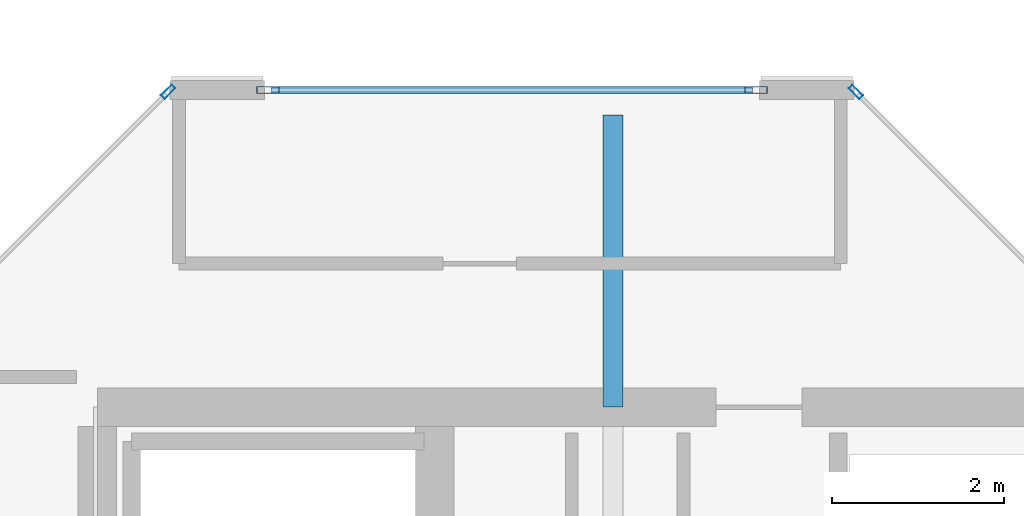
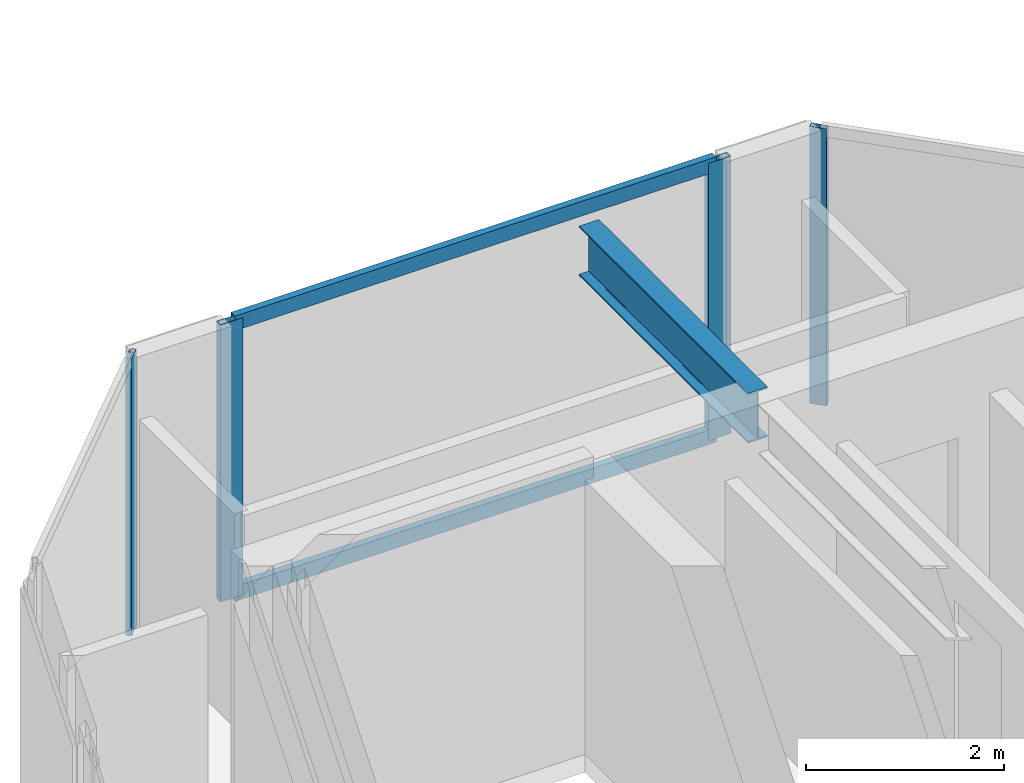
# One storey, part 13 of 28: 6 members, 1 beam, 3 elements without a shape of their own.
"""IFC4 building model written with IfcOpenShell, lengths in metres."""

from ifc_helpers import new_model, si_unit, direction, frame, origin, origin_2d, place, context, subcontext, project, spatial, hollow_rectangle, i_section, extrude, material, layer, layer_set, material_profile, profile_set, type_object, element, aggregate, save


model = new_model("IFC4")

# Units and contexts
model_context = context("Model", 3, precision=1e-05, world=origin(), true_north=direction((0.0, 1.0)))
body_context = subcontext(model_context, "Body", "Model", "MODEL_VIEW")
ifc_project = project(units=[si_unit("LENGTHUNIT", "METRE"), si_unit("AREAUNIT", "SQUARE_METRE"), si_unit("VOLUMEUNIT", "CUBIC_METRE"), si_unit("PLANEANGLEUNIT", "RADIAN"), si_unit("MASSUNIT", "GRAM", prefix="KILO")], contexts=[model_context])

# Site, building, storey
site_placement = place(None, origin())
site = spatial("IfcSite", under=ifc_project, at=site_placement, CompositionType="ELEMENT")
building_placement = place(site_placement, origin())
building = spatial("IfcBuilding", under=site, at=building_placement, Name="Tanjung Sevakor Pilgrim Tower", CompositionType="ELEMENT")
storey_placement = place(building_placement, frame((0.0, 0.0, 257.070068359375)))
storey = spatial("IfcBuildingStorey", under=building, at=storey_placement, Name="L72", CompositionType="ELEMENT", Elevation=257.070068359375)

# Beam
ifc_material_1 = material(Name="Steel S355J2", Category="steel")
ifc_material_profile_1 = material_profile(ifc_material_1, i_section(OverallWidth=0.22900390625, OverallDepth=0.6123046875, WebThickness=0.011962890625, FlangeThickness=0.01953125, FilletRadius=0.0126953125, at=origin_2d()))
ifc_profile_set_1 = profile_set([ifc_material_profile_1], Name="Steel S355J2")
beam_type = type_object("IfcBeamType", Name="BM-B-G4-UB_610x229x125", PredefinedType="BEAM", material=ifc_profile_set_1)
beam_placement = place(storey_placement, frame((30.0, 42.60009765625, 3.063720703125), z_axis=(0.0, 1.0, 0.0), x_axis=(-1.0, 0.0, 0.0)))
element("IfcBeam", 1, at=beam_placement, inside=storey, type_object=beam_type, Name="L72 WPK Roof Girder NS 2", PredefinedType="BEAM", context=body_context, shape_type="SweptSolid", body=[
    extrude(i_section(OverallWidth=0.22900390625, OverallDepth=0.6123046875, WebThickness=0.011962890625, FlangeThickness=0.01953125, FilletRadius=0.0126953125, at=origin_2d()), origin(), (0.0, 0.0, 1.0), 3.39990234375),
])

# Curtain wall, member
ifc_material_2 = material(Name="Aluminium 6063-T6 and Low-E Glass", Category="aluminium")
ifc_layer_1 = layer(ifc_material_2, 0.179931640625)
ifc_layer_set_1 = layer_set([ifc_layer_1], Name="CW-SYS-CHAM")
curtain_wall_type_1 = type_object("IfcCurtainWallType", Name="CW-SYS-CHAM", PredefinedType="NOTDEFINED", material=ifc_layer_set_1)
curtain_wall_1_placement = place(storey_placement, origin())
curtain_wall_1 = element("IfcCurtainWall", 2, at=curtain_wall_1_placement, inside=storey, type_object=curtain_wall_type_1, Name="L72 Curtain Wall CW-CHM-L72-WEST-3", PredefinedType="NOTDEFINED")
ifc_material_3 = material(Name="Aluminium 6063-T6", Category="aluminium")
ifc_material_profile_2 = material_profile(ifc_material_3, hollow_rectangle(XDim=0.06494140625, YDim=0.179931640625, WallThickness=0.00390625, at=origin_2d()))
ifc_profile_set_2 = profile_set([ifc_material_profile_2], Name="Aluminium 6063-T6")
member_type_1 = type_object("IfcMemberType", Name="TYPE-CWM-1", PredefinedType="MULLION", material=ifc_profile_set_2)
member_1_placement = place(storey_placement, frame((32.827392578125, 46.26708984375, 0.0), z_axis=(0.0, 0.0, 1.0), x_axis=(-0.707106781187, -0.707106781187, 0.0)))
member_1 = element("IfcMember", 3, at=member_1_placement, type_object=member_type_1, Name="CW-CHM mullion 2", PredefinedType="MULLION", context=body_context, shape_type="SweptSolid", body=[
    extrude(hollow_rectangle(XDim=0.06494140625, YDim=0.179931640625, WallThickness=0.00390625, at=origin_2d()), origin(), (0.0, 0.0, 1.0), 3.409912109375),
])
aggregate(curtain_wall_1, [member_1])

curtain_wall_2_placement = place(storey_placement, origin())
curtain_wall_2 = element("IfcCurtainWall", 4, at=curtain_wall_2_placement, inside=storey, type_object=curtain_wall_type_1, Name="L72 Curtain Wall CW-CHM-L72-WEST-5", PredefinedType="NOTDEFINED")
member_2_placement = place(storey_placement, frame((24.822509765625, 46.26708984375, 0.0), z_axis=(0.0, 0.0, 1.0), x_axis=(0.707106781187, -0.707106781187, 0.0)))
member_2 = element("IfcMember", 5, at=member_2_placement, type_object=member_type_1, Name="CW-CHM mullion 1", PredefinedType="MULLION", context=body_context, shape_type="SweptSolid", body=[
    extrude(hollow_rectangle(XDim=0.06494140625, YDim=0.179931640625, WallThickness=0.00390625, at=origin_2d()), origin(), (0.0, 0.0, 1.0), 3.409912109375),
])
aggregate(curtain_wall_2, [member_2])

# Curtain wall, members
ifc_material_4 = material(Name="Aluminium 6063-T6 and Low-E Glass", Category="aluminium")
ifc_layer_2 = layer(ifc_material_4, 0.199951171875)
ifc_layer_set_2 = layer_set([ifc_layer_2], Name="CW-SYS-CRNW")
curtain_wall_type_2 = type_object("IfcCurtainWallType", Name="CW-SYS-CRNW", PredefinedType="NOTDEFINED", material=ifc_layer_set_2)
curtain_wall_3_placement = place(storey_placement, origin())
curtain_wall_3 = element("IfcCurtainWall", 6, at=curtain_wall_3_placement, inside=storey, type_object=curtain_wall_type_2, Name="L72 Curtain Wall CW-CRN-L72-WEST-4-1", PredefinedType="NOTDEFINED")
ifc_material_5 = material(Name="Aluminium 6063-T6", Category="aluminium")
ifc_material_profile_3 = material_profile(ifc_material_5, hollow_rectangle(XDim=0.080078125, YDim=0.260009765625, WallThickness=0.0048828125, at=origin_2d()))
ifc_profile_set_3 = profile_set([ifc_material_profile_3], Name="Aluminium 6063-T6")
member_type_2 = type_object("IfcMemberType", Name="TYPE-CWM-3", PredefinedType="MULLION", material=ifc_profile_set_3)
member_3_placement = place(storey_placement, frame((31.664306640625, 46.2900390625, 0.0), z_axis=(0.0, 0.0, 1.0), x_axis=(0.0, -1.0, 0.0)))
member_3 = element("IfcMember", 7, at=member_3_placement, type_object=member_type_2, Name="CW-CRW mullion 1", PredefinedType="MULLION", context=body_context, shape_type="SweptSolid", body=[
    extrude(hollow_rectangle(XDim=0.080078125, YDim=0.260009765625, WallThickness=0.0048828125, at=origin_2d()), origin(), (0.0, 0.0, 1.0), 3.409912109375),
])
member_4_placement = place(storey_placement, frame((25.985595703125, 46.2900390625, 0.0), z_axis=(0.0, 0.0, 1.0), x_axis=(0.0, -1.0, 0.0)))
member_4 = element("IfcMember", 8, at=member_4_placement, type_object=member_type_2, Name="CW-CRW mullion 2", PredefinedType="MULLION", context=body_context, shape_type="SweptSolid", body=[
    extrude(hollow_rectangle(XDim=0.080078125, YDim=0.260009765625, WallThickness=0.0048828125, at=origin_2d()), origin(), (0.0, 0.0, 1.0), 3.409912109375),
])
ifc_material_6 = material(Name="Aluminium 6063-T6", Category="aluminium")
ifc_material_profile_4 = material_profile(ifc_material_6, hollow_rectangle(XDim=0.080078125, YDim=0.179931640625, WallThickness=0.0048828125, at=origin_2d()))
ifc_profile_set_4 = profile_set([ifc_material_profile_4], Name="Aluminium 6063-T6")
member_type_3 = type_object("IfcMemberType", Name="TYPE-CWT-3", PredefinedType="USERDEFINED", material=ifc_profile_set_4)
member_5_placement = place(storey_placement, frame((31.62451171875, 46.2900390625, 0.0400390625), z_axis=(-1.0, 0.0, 0.0), x_axis=(0.0, -1.0, 0.0)))
member_5 = element("IfcMember", 9, at=member_5_placement, type_object=member_type_3, Name="CW-CRW transom 1.1", ObjectType="TRANSOM", PredefinedType="USERDEFINED", context=body_context, shape_type="SweptSolid", body=[
    extrude(hollow_rectangle(XDim=0.080078125, YDim=0.179931640625, WallThickness=0.0048828125, at=origin_2d()), origin(), (0.0, 0.0, 1.0), 5.598876953125),
])
member_6_placement = place(storey_placement, frame((31.62451171875, 46.2900390625, 3.369873046875), z_axis=(-1.0, 0.0, 0.0), x_axis=(0.0, -1.0, 0.0)))
member_6 = element("IfcMember", 10, at=member_6_placement, type_object=member_type_3, Name="CW-CRW transom 1.2", ObjectType="TRANSOM", PredefinedType="USERDEFINED", context=body_context, shape_type="SweptSolid", body=[
    extrude(hollow_rectangle(XDim=0.080078125, YDim=0.179931640625, WallThickness=0.0048828125, at=origin_2d()), origin(), (0.0, 0.0, 1.0), 5.598876953125),
])
aggregate(curtain_wall_3, [member_3, member_4, member_5, member_6])

save(model, "model.ifc")
